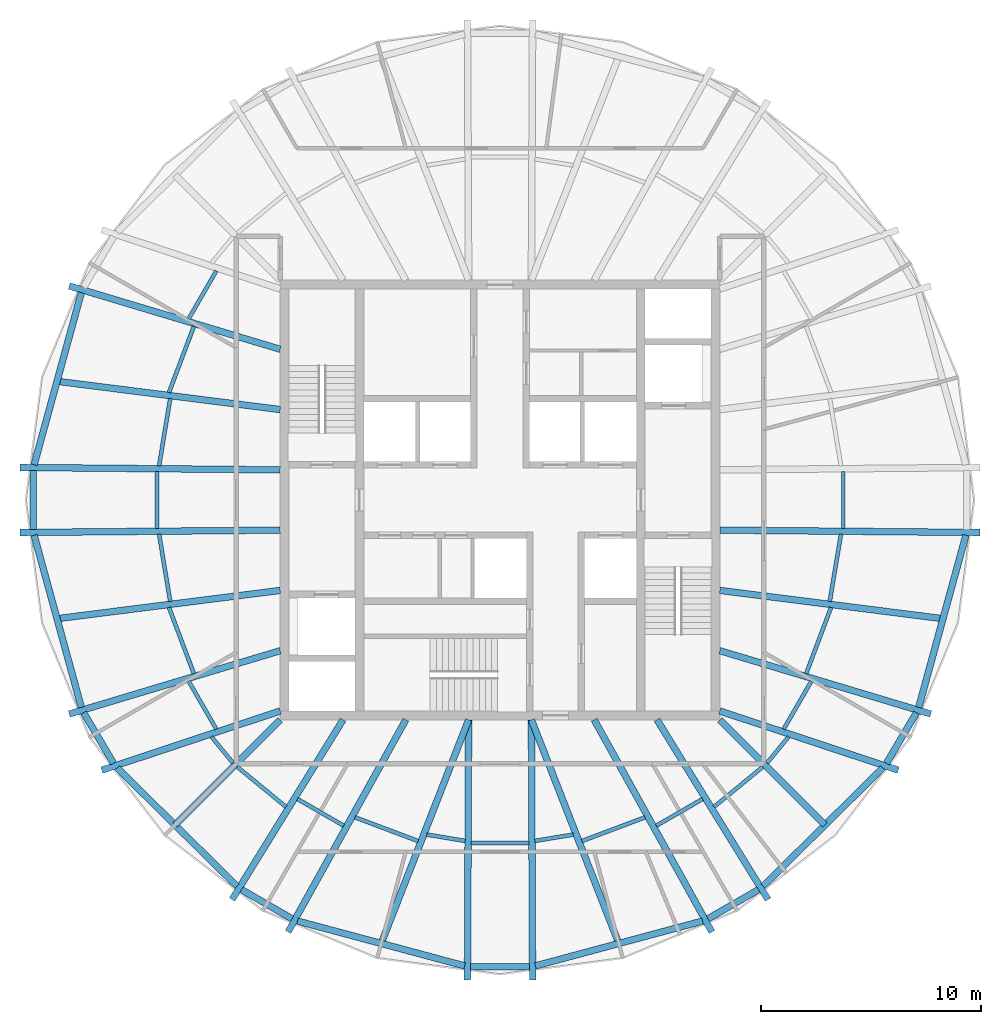
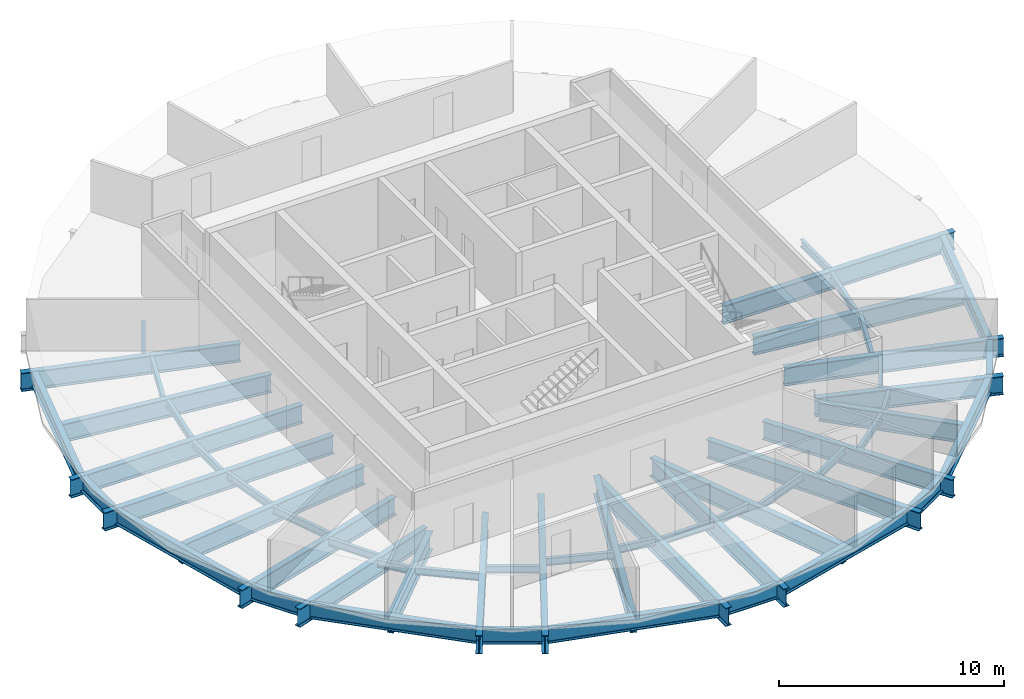
# One storey, part 1 of 6: 56 beams.
"""IFC4 building model written with IfcOpenShell, lengths in metres."""

from ifc_helpers import new_model, si_unit, direction, frame, origin, origin_2d, place, context, subcontext, project, spatial, i_section, extrude, material, material_profile, profile_set, type_object, element, save


model = new_model("IFC4")

# Units and contexts
model_context = context("Model", 3, precision=1e-05, world=origin(), true_north=direction((0.0, 1.0)))
body_context = subcontext(model_context, "Body", "Model", "MODEL_VIEW")
ifc_project = project(units=[si_unit("LENGTHUNIT", "METRE"), si_unit("AREAUNIT", "SQUARE_METRE"), si_unit("VOLUMEUNIT", "CUBIC_METRE"), si_unit("PLANEANGLEUNIT", "RADIAN"), si_unit("MASSUNIT", "GRAM", prefix="KILO")], contexts=[model_context])

# Site, building, storey
site_placement = place(None, origin())
site = spatial("IfcSite", under=ifc_project, at=site_placement, CompositionType="ELEMENT")
building_placement = place(site_placement, origin())
building = spatial("IfcBuilding", under=site, at=building_placement, Name="Golbaran Civic Tower", CompositionType="ELEMENT")
storey_placement = place(building_placement, frame((0.0, 0.0, 276.0)))
storey = spatial("IfcBuildingStorey", under=building, at=storey_placement, Name="L67", CompositionType="ELEMENT", Elevation=276.0)

# Beams
ifc_material = material(Name="Steel S355", Category="steel")
ifc_material_profile_1 = material_profile(ifc_material, i_section(OverallWidth=0.300048828125, OverallDepth=0.800048828125, WebThickness=0.017578125, FlangeThickness=0.032958984375, FilletRadius=0.030029296875, at=origin_2d()), Name="HEB 800")
ifc_profile_set_1 = profile_set([ifc_material_profile_1], Name="Steel S355")
beam_type_1 = type_object("IfcBeamType", Name="EDGE BEAM HEB 800", PredefinedType="BEAM", material=ifc_profile_set_1)
beam_1_placement = place(storey_placement, frame((-19.048828125, 9.4365234375, -0.60009765625), z_axis=(-0.264462655169, -0.964395927004, 0.0), x_axis=(0.964395927004, -0.264462655169, 0.0)))
element("IfcBeam", 1, at=beam_1_placement, inside=storey, type_object=beam_type_1, Name="Edge beam 153.80 L67", PredefinedType="BEAM", context=body_context, shape_type="SweptSolid", body=[
    extrude(i_section(OverallWidth=0.300048828125, OverallDepth=0.800048828125, WebThickness=0.017578125, FlangeThickness=0.032958984375, FilletRadius=0.030029296875, at=origin_2d()), origin(), (0.0, 0.0, 1.0), 8.121826171875),
])
beam_2_placement = place(storey_placement, frame((-21.232177734375, 1.343994140625, -0.60009765625), z_axis=(0.0, -1.0, 0.0), x_axis=(1.0, 0.0, 0.0)))
element("IfcBeam", 2, at=beam_2_placement, inside=storey, type_object=beam_type_1, Name="Edge beam 176.20 L67", PredefinedType="BEAM", context=body_context, shape_type="SweptSolid", body=[
    extrude(i_section(OverallWidth=0.300048828125, OverallDepth=0.800048828125, WebThickness=0.017578125, FlangeThickness=0.032958984375, FilletRadius=0.030029296875, at=origin_2d()), origin(), (0.0, 0.0, 1.0), 2.68798828125),
])
beam_3_placement = place(storey_placement, frame((-21.19677734375, -1.603759765625, -0.60009765625), z_axis=(0.264462655169, -0.964395927004, 0.0), x_axis=(0.964395927004, 0.264462655169, 0.0)))
element("IfcBeam", 3, at=beam_3_placement, inside=storey, type_object=beam_type_1, Name="Edge beam 183.80 L67", PredefinedType="BEAM", context=body_context, shape_type="SweptSolid", body=[
    extrude(i_section(OverallWidth=0.300048828125, OverallDepth=0.800048828125, WebThickness=0.017578125, FlangeThickness=0.032958984375, FilletRadius=0.030029296875, at=origin_2d()), origin(), (0.0, 0.0, 1.0), 8.121826171875),
])
beam_4_placement = place(storey_placement, frame((-18.946044921875, -9.67724609375, -0.60009765625), z_axis=(0.509912443574, -0.860226307368, 0.0), x_axis=(0.860226307368, 0.509912443574, 0.0)))
element("IfcBeam", 4, at=beam_4_placement, inside=storey, type_object=beam_type_1, Name="Edge beam 206.20 L67", PredefinedType="BEAM", context=body_context, shape_type="SweptSolid", body=[
    extrude(i_section(OverallWidth=0.300048828125, OverallDepth=0.800048828125, WebThickness=0.017578125, FlangeThickness=0.032958984375, FilletRadius=0.030029296875, at=origin_2d()), origin(), (0.0, 0.0, 1.0), 2.675537109375),
])
beam_5_placement = place(storey_placement, frame((-17.41015625, -12.19580078125, -0.60009765625), z_axis=(0.711498621038, -0.702687492604, 0.0), x_axis=(0.702687492604, 0.711498621038, 0.0)))
element("IfcBeam", 5, at=beam_5_placement, inside=storey, type_object=beam_type_1, Name="Edge beam 213.80 L67", PredefinedType="BEAM", context=body_context, shape_type="SweptSolid", body=[
    extrude(i_section(OverallWidth=0.300048828125, OverallDepth=0.800048828125, WebThickness=0.017578125, FlangeThickness=0.032958984375, FilletRadius=0.030029296875, at=origin_2d()), origin(), (0.0, 0.0, 1.0), 7.6474609375),
])
beam_6_placement = place(storey_placement, frame((-11.76123046875, -17.728271484375, -0.60009765625), z_axis=(0.866188645751, -0.499717149968, 0.0), x_axis=(0.499717149968, 0.866188645751, 0.0)))
element("IfcBeam", 6, at=beam_6_placement, inside=storey, type_object=beam_type_1, Name="Edge beam 236.20 L67", PredefinedType="BEAM", context=body_context, shape_type="SweptSolid", body=[
    extrude(i_section(OverallWidth=0.300048828125, OverallDepth=0.800048828125, WebThickness=0.017578125, FlangeThickness=0.032958984375, FilletRadius=0.030029296875, at=origin_2d()), origin(), (0.0, 0.0, 1.0), 2.65673828125),
])
beam_7_placement = place(storey_placement, frame((-9.218017578125, -19.155517578125, -0.60009765625), z_axis=(0.965839810381, -0.259139847732, 0.0), x_axis=(0.259139847732, 0.965839810381, 0.0)))
element("IfcBeam", 7, at=beam_7_placement, inside=storey, type_object=beam_type_1, Name="Edge beam 243.80 L67", PredefinedType="BEAM", context=body_context, shape_type="SweptSolid", body=[
    extrude(i_section(OverallWidth=0.300048828125, OverallDepth=0.800048828125, WebThickness=0.017578125, FlangeThickness=0.032958984375, FilletRadius=0.030029296875, at=origin_2d()), origin(), (0.0, 0.0, 1.0), 7.8779296875),
])
beam_8_placement = place(storey_placement, frame((-1.34912109375, -21.23193359375, -0.60009765625), z_axis=(1.0, 0.0, 0.0), x_axis=(0.0, 1.0, 0.0)))
element("IfcBeam", 8, at=beam_8_placement, inside=storey, type_object=beam_type_1, Name="Edge beam 266.20 L67", PredefinedType="BEAM", context=body_context, shape_type="SweptSolid", body=[
    extrude(i_section(OverallWidth=0.300048828125, OverallDepth=0.800048828125, WebThickness=0.017578125, FlangeThickness=0.032958984375, FilletRadius=0.030029296875, at=origin_2d()), origin(), (0.0, 0.0, 1.0), 2.6982421875),
])
beam_9_placement = place(storey_placement, frame((1.609130859375, -21.197021484375, -0.60009765625), z_axis=(0.965839810381, 0.259139847732, 0.0), x_axis=(-0.259139847732, 0.965839810381, 0.0)))
element("IfcBeam", 9, at=beam_9_placement, inside=storey, type_object=beam_type_1, Name="Edge beam 273.80 L67", PredefinedType="BEAM", context=body_context, shape_type="SweptSolid", body=[
    extrude(i_section(OverallWidth=0.300048828125, OverallDepth=0.800048828125, WebThickness=0.017578125, FlangeThickness=0.032958984375, FilletRadius=0.030029296875, at=origin_2d()), origin(), (0.0, 0.0, 1.0), 7.8779296875),
])
beam_10_placement = place(storey_placement, frame((9.4599609375, -19.055908203125, -0.60009765625), z_axis=(0.866188645751, 0.499717149968, 0.0), x_axis=(-0.499717149968, 0.866188645751, 0.0)))
element("IfcBeam", 10, at=beam_10_placement, inside=storey, type_object=beam_type_1, Name="Edge beam 296.20 L67", PredefinedType="BEAM", context=body_context, shape_type="SweptSolid", body=[
    extrude(i_section(OverallWidth=0.300048828125, OverallDepth=0.800048828125, WebThickness=0.017578125, FlangeThickness=0.032958984375, FilletRadius=0.030029296875, at=origin_2d()), origin(), (0.0, 0.0, 1.0), 2.65673828125),
])
beam_11_placement = place(storey_placement, frame((11.968994140625, -17.569580078125, -0.60009765625), z_axis=(0.711498621038, 0.702687492604, 0.0), x_axis=(-0.702687492604, 0.711498621038, 0.0)))
element("IfcBeam", 11, at=beam_11_placement, inside=storey, type_object=beam_type_1, Name="Edge beam 303.80 L67", PredefinedType="BEAM", context=body_context, shape_type="SweptSolid", body=[
    extrude(i_section(OverallWidth=0.300048828125, OverallDepth=0.800048828125, WebThickness=0.017578125, FlangeThickness=0.032958984375, FilletRadius=0.030029296875, at=origin_2d()), origin(), (0.0, 0.0, 1.0), 7.6474609375),
])
beam_12_placement = place(storey_placement, frame((17.581787109375, -11.978759765625, -0.60009765625), z_axis=(0.509912443574, 0.860226307368, 0.0), x_axis=(-0.860226307368, 0.509912443574, 0.0)))
element("IfcBeam", 12, at=beam_12_placement, inside=storey, type_object=beam_type_1, Name="Edge beam 326.20 L67", PredefinedType="BEAM", context=body_context, shape_type="SweptSolid", body=[
    extrude(i_section(OverallWidth=0.300048828125, OverallDepth=0.800048828125, WebThickness=0.017578125, FlangeThickness=0.032958984375, FilletRadius=0.030029296875, at=origin_2d()), origin(), (0.0, 0.0, 1.0), 2.675537109375),
])
beam_13_placement = place(storey_placement, frame((19.048828125, -9.4365234375, -0.60009765625), z_axis=(0.264462655169, 0.964395927004, 0.0), x_axis=(-0.964395927004, 0.264462655169, 0.0)))
element("IfcBeam", 13, at=beam_13_placement, inside=storey, type_object=beam_type_1, Name="Edge beam 333.80 L67", PredefinedType="BEAM", context=body_context, shape_type="SweptSolid", body=[
    extrude(i_section(OverallWidth=0.300048828125, OverallDepth=0.800048828125, WebThickness=0.017578125, FlangeThickness=0.032958984375, FilletRadius=0.030029296875, at=origin_2d()), origin(), (0.0, 0.0, 1.0), 8.121826171875),
])
ifc_material_profile_2 = material_profile(ifc_material, i_section(OverallWidth=0.179931640625, OverallDepth=0.39990234375, WebThickness=0.008544921875, FlangeThickness=0.013427734375, FilletRadius=0.02099609375, at=origin_2d()), Name="IPE 400")
ifc_profile_set_2 = profile_set([ifc_material_profile_2], Name="Steel S355")
beam_type_2 = type_object("IfcBeamType", Name="FLOOR INFILL BEAM IPE 400", PredefinedType="BEAM", material=ifc_profile_set_2)
beam_14_placement = place(storey_placement, frame((-12.90576171875, 10.42724609375, -0.39990234375), z_axis=(-0.500001778212, -0.866024377131, 0.0), x_axis=(0.866024377131, -0.500001778212, 0.0)))
element("IfcBeam", 14, at=beam_14_placement, inside=storey, type_object=beam_type_2, Name="Infill beam 150.00 L67", PredefinedType="BEAM", context=body_context, shape_type="SweptSolid", body=[
    extrude(i_section(OverallWidth=0.179931640625, OverallDepth=0.39990234375, WebThickness=0.008544921875, FlangeThickness=0.013427734375, FilletRadius=0.02099609375, at=origin_2d()), origin(), (0.0, 0.0, 1.0), 2.52197265625),
])
beam_15_placement = place(storey_placement, frame((-13.9296875, 7.900634765625, -0.39990234375), z_axis=(-0.351871123125, -0.93604845639, 0.0), x_axis=(0.93604845639, -0.351871123125, 0.0)))
element("IfcBeam", 15, at=beam_15_placement, inside=storey, type_object=beam_type_2, Name="Infill beam 159.40 L67", PredefinedType="BEAM", context=body_context, shape_type="SweptSolid", body=[
    extrude(i_section(OverallWidth=0.179931640625, OverallDepth=0.39990234375, WebThickness=0.008544921875, FlangeThickness=0.013427734375, FilletRadius=0.02099609375, at=origin_2d()), origin(), (0.0, 0.0, 1.0), 3.219970703125),
])
beam_16_placement = place(storey_placement, frame((-15.004638671875, 4.6171875, -0.39990234375), z_axis=(-0.163354081332, -0.98656750611, 0.0), x_axis=(0.98656750611, -0.163354081332, 0.0)))
element("IfcBeam", 16, at=beam_16_placement, inside=storey, type_object=beam_type_2, Name="Infill beam 170.60 L67", PredefinedType="BEAM", context=body_context, shape_type="SweptSolid", body=[
    extrude(i_section(OverallWidth=0.179931640625, OverallDepth=0.39990234375, WebThickness=0.008544921875, FlangeThickness=0.013427734375, FilletRadius=0.02099609375, at=origin_2d()), origin(), (0.0, 0.0, 1.0), 3.107177734375),
])
beam_17_placement = place(storey_placement, frame((-15.6162109375, 1.292724609375, -0.39990234375), z_axis=(0.0, -1.0, 0.0), x_axis=(1.0, 0.0, 0.0)))
element("IfcBeam", 17, at=beam_17_placement, inside=storey, type_object=beam_type_2, Name="Infill beam 180.00 L67", PredefinedType="BEAM", context=body_context, shape_type="SweptSolid", body=[
    extrude(i_section(OverallWidth=0.179931640625, OverallDepth=0.39990234375, WebThickness=0.008544921875, FlangeThickness=0.013427734375, FilletRadius=0.02099609375, at=origin_2d()), origin(), (0.0, 0.0, 1.0), 2.58544921875),
])
beam_18_placement = place(storey_placement, frame((-15.51220703125, -1.5517578125, -0.39990234375), z_axis=(0.163354081332, -0.98656750611, 0.0), x_axis=(0.98656750611, 0.163354081332, 0.0)))
element("IfcBeam", 18, at=beam_18_placement, inside=storey, type_object=beam_type_2, Name="Infill beam 189.40 L67", PredefinedType="BEAM", context=body_context, shape_type="SweptSolid", body=[
    extrude(i_section(OverallWidth=0.179931640625, OverallDepth=0.39990234375, WebThickness=0.008544921875, FlangeThickness=0.013427734375, FilletRadius=0.02099609375, at=origin_2d()), origin(), (0.0, 0.0, 1.0), 3.107177734375),
])
beam_19_placement = place(storey_placement, frame((-15.062744140625, -4.886474609375, -0.39990234375), z_axis=(0.351871123125, -0.93604845639, 0.0), x_axis=(0.93604845639, 0.351871123125, 0.0)))
element("IfcBeam", 19, at=beam_19_placement, inside=storey, type_object=beam_type_2, Name="Infill beam 200.60 L67", PredefinedType="BEAM", context=body_context, shape_type="SweptSolid", body=[
    extrude(i_section(OverallWidth=0.179931640625, OverallDepth=0.39990234375, WebThickness=0.008544921875, FlangeThickness=0.013427734375, FilletRadius=0.02099609375, at=origin_2d()), origin(), (0.0, 0.0, 1.0), 3.219970703125),
])
beam_20_placement = place(storey_placement, frame((-14.166748046875, -8.2431640625, -0.39990234375), z_axis=(0.500001778212, -0.866024377131, 0.0), x_axis=(0.866024377131, 0.500001778212, 0.0)))
element("IfcBeam", 20, at=beam_20_placement, inside=storey, type_object=beam_type_2, Name="Infill beam 210.00 L67", PredefinedType="BEAM", context=body_context, shape_type="SweptSolid", body=[
    extrude(i_section(OverallWidth=0.179931640625, OverallDepth=0.39990234375, WebThickness=0.008544921875, FlangeThickness=0.013427734375, FilletRadius=0.02099609375, at=origin_2d()), origin(), (0.0, 0.0, 1.0), 2.52197265625),
])
beam_21_placement = place(storey_placement, frame((-13.127197265625, -10.774658203125, -0.39990234375), z_axis=(0.634729286709, -0.772734580949, 0.0), x_axis=(0.772734580949, 0.634729286709, 0.0)))
element("IfcBeam", 21, at=beam_21_placement, inside=storey, type_object=beam_type_2, Name="Infill beam 219.40 L67", PredefinedType="BEAM", context=body_context, shape_type="SweptSolid", body=[
    extrude(i_section(OverallWidth=0.179931640625, OverallDepth=0.39990234375, WebThickness=0.008544921875, FlangeThickness=0.013427734375, FilletRadius=0.02099609375, at=origin_2d()), origin(), (0.0, 0.0, 1.0), 1.540771484375),
])
beam_22_placement = place(storey_placement, frame((-11.956298828125, -12.14013671875, -0.39990234375), z_axis=(0.772738185777, -0.634724898079, 0.0), x_axis=(0.634724898079, 0.772738185777, 0.0)))
element("IfcBeam", 22, at=beam_22_placement, inside=storey, type_object=beam_type_2, Name="Infill beam 230.60 L67", PredefinedType="BEAM", context=body_context, shape_type="SweptSolid", body=[
    extrude(i_section(OverallWidth=0.179931640625, OverallDepth=0.39990234375, WebThickness=0.008544921875, FlangeThickness=0.013427734375, FilletRadius=0.02099609375, at=origin_2d()), origin(), (0.0, 0.0, 1.0), 2.867431640625),
])
beam_23_placement = place(storey_placement, frame((-9.2158203125, -13.60498046875, -0.39990234375), z_axis=(0.866035116605, -0.499983176524, 0.0), x_axis=(0.499983176524, 0.866035116605, 0.0)))
element("IfcBeam", 23, at=beam_23_placement, inside=storey, type_object=beam_type_2, Name="Infill beam 240.00 L67", PredefinedType="BEAM", context=body_context, shape_type="SweptSolid", body=[
    extrude(i_section(OverallWidth=0.179931640625, OverallDepth=0.39990234375, WebThickness=0.008544921875, FlangeThickness=0.013427734375, FilletRadius=0.02099609375, at=origin_2d()), origin(), (0.0, 0.0, 1.0), 2.431640625),
])
beam_24_placement = place(storey_placement, frame((-6.599609375, -14.4375, -0.39990234375), z_axis=(0.936083922818, -0.351776760804, 0.0), x_axis=(0.351776760804, 0.936083922818, 0.0)))
element("IfcBeam", 24, at=beam_24_placement, inside=storey, type_object=beam_type_2, Name="Infill beam 249.40 L67", PredefinedType="BEAM", context=body_context, shape_type="SweptSolid", body=[
    extrude(i_section(OverallWidth=0.179931640625, OverallDepth=0.39990234375, WebThickness=0.008544921875, FlangeThickness=0.013427734375, FilletRadius=0.02099609375, at=origin_2d()), origin(), (0.0, 0.0, 1.0), 3.071044921875),
])
beam_25_placement = place(storey_placement, frame((-3.330810546875, -15.223876953125, -0.39990234375), z_axis=(0.986568466823, -0.163348279053, 0.0), x_axis=(0.163348279053, 0.986568466823, 0.0)))
element("IfcBeam", 25, at=beam_25_placement, inside=storey, type_object=beam_type_2, Name="Infill beam 260.60 L67", PredefinedType="BEAM", context=body_context, shape_type="SweptSolid", body=[
    extrude(i_section(OverallWidth=0.179931640625, OverallDepth=0.39990234375, WebThickness=0.008544921875, FlangeThickness=0.013427734375, FilletRadius=0.02099609375, at=origin_2d()), origin(), (0.0, 0.0, 1.0), 1.77099609375),
])
beam_26_placement = place(storey_placement, frame((-1.323974609375, -15.615966796875, -0.39990234375), z_axis=(1.0, 0.0, 0.0), x_axis=(0.0, 1.0, 0.0)))
element("IfcBeam", 26, at=beam_26_placement, inside=storey, type_object=beam_type_2, Name="Infill beam 270.00 L67", PredefinedType="BEAM", context=body_context, shape_type="SweptSolid", body=[
    extrude(i_section(OverallWidth=0.179931640625, OverallDepth=0.39990234375, WebThickness=0.008544921875, FlangeThickness=0.013427734375, FilletRadius=0.02099609375, at=origin_2d()), origin(), (0.0, 0.0, 1.0), 2.64794921875),
])
beam_27_placement = place(storey_placement, frame((1.58349609375, -15.51318359375, -0.39990234375), z_axis=(0.986568466823, 0.163348279053, 0.0), x_axis=(-0.163348279053, 0.986568466823, 0.0)))
element("IfcBeam", 27, at=beam_27_placement, inside=storey, type_object=beam_type_2, Name="Infill beam 279.40 L67", PredefinedType="BEAM", context=body_context, shape_type="SweptSolid", body=[
    extrude(i_section(OverallWidth=0.179931640625, OverallDepth=0.39990234375, WebThickness=0.008544921875, FlangeThickness=0.013427734375, FilletRadius=0.02099609375, at=origin_2d()), origin(), (0.0, 0.0, 1.0), 1.77099609375),
])
beam_28_placement = place(storey_placement, frame((3.724853515625, -15.517822265625, -0.39990234375), z_axis=(0.936083922818, 0.351776760804, 0.0), x_axis=(-0.351776760804, 0.936083922818, 0.0)))
element("IfcBeam", 28, at=beam_28_placement, inside=storey, type_object=beam_type_2, Name="Infill beam 290.60 L67", PredefinedType="BEAM", context=body_context, shape_type="SweptSolid", body=[
    extrude(i_section(OverallWidth=0.179931640625, OverallDepth=0.39990234375, WebThickness=0.008544921875, FlangeThickness=0.013427734375, FilletRadius=0.02099609375, at=origin_2d()), origin(), (0.0, 0.0, 1.0), 3.071044921875),
])
beam_29_placement = place(storey_placement, frame((7.10986328125, -14.82080078125, -0.39990234375), z_axis=(0.866035116605, 0.499983176524, 0.0), x_axis=(-0.499983176524, 0.866035116605, 0.0)))
element("IfcBeam", 29, at=beam_29_placement, inside=storey, type_object=beam_type_2, Name="Infill beam 300.00 L67", PredefinedType="BEAM", context=body_context, shape_type="SweptSolid", body=[
    extrude(i_section(OverallWidth=0.179931640625, OverallDepth=0.39990234375, WebThickness=0.008544921875, FlangeThickness=0.013427734375, FilletRadius=0.02099609375, at=origin_2d()), origin(), (0.0, 0.0, 1.0), 2.431640625),
])
beam_30_placement = place(storey_placement, frame((9.740478515625, -13.960205078125, -0.39990234375), z_axis=(0.772738185777, 0.634724898079, 0.0), x_axis=(-0.634724898079, 0.772738185777, 0.0)))
element("IfcBeam", 30, at=beam_30_placement, inside=storey, type_object=beam_type_2, Name="Infill beam 309.40 L67", PredefinedType="BEAM", context=body_context, shape_type="SweptSolid", body=[
    extrude(i_section(OverallWidth=0.179931640625, OverallDepth=0.39990234375, WebThickness=0.008544921875, FlangeThickness=0.013427734375, FilletRadius=0.02099609375, at=origin_2d()), origin(), (0.0, 0.0, 1.0), 2.867431640625),
])
beam_31_placement = place(storey_placement, frame((12.149169921875, -11.96533203125, -0.39990234375), z_axis=(0.634729286709, 0.772734580949, 0.0), x_axis=(-0.772734580949, 0.634729286709, 0.0)))
element("IfcBeam", 31, at=beam_31_placement, inside=storey, type_object=beam_type_2, Name="Infill beam 320.60 L67", PredefinedType="BEAM", context=body_context, shape_type="SweptSolid", body=[
    extrude(i_section(OverallWidth=0.179931640625, OverallDepth=0.39990234375, WebThickness=0.008544921875, FlangeThickness=0.013427734375, FilletRadius=0.02099609375, at=origin_2d()), origin(), (0.0, 0.0, 1.0), 1.540771484375),
])
beam_32_placement = place(storey_placement, frame((12.90576171875, -10.42724609375, -0.39990234375), z_axis=(0.500001778212, 0.866024377131, 0.0), x_axis=(-0.866024377131, 0.500001778212, 0.0)))
element("IfcBeam", 32, at=beam_32_placement, inside=storey, type_object=beam_type_2, Name="Infill beam 330.00 L67", PredefinedType="BEAM", context=body_context, shape_type="SweptSolid", body=[
    extrude(i_section(OverallWidth=0.179931640625, OverallDepth=0.39990234375, WebThickness=0.008544921875, FlangeThickness=0.013427734375, FilletRadius=0.02099609375, at=origin_2d()), origin(), (0.0, 0.0, 1.0), 2.52197265625),
])
beam_33_placement = place(storey_placement, frame((13.9296875, -7.900634765625, -0.39990234375), z_axis=(0.351871123125, 0.93604845639, 0.0), x_axis=(-0.93604845639, 0.351871123125, 0.0)))
element("IfcBeam", 33, at=beam_33_placement, inside=storey, type_object=beam_type_2, Name="Infill beam 339.40 L67", PredefinedType="BEAM", context=body_context, shape_type="SweptSolid", body=[
    extrude(i_section(OverallWidth=0.179931640625, OverallDepth=0.39990234375, WebThickness=0.008544921875, FlangeThickness=0.013427734375, FilletRadius=0.02099609375, at=origin_2d()), origin(), (0.0, 0.0, 1.0), 3.219970703125),
])
beam_34_placement = place(storey_placement, frame((15.004638671875, -4.6171875, -0.39990234375), z_axis=(0.163354081332, 0.98656750611, 0.0), x_axis=(-0.98656750611, 0.163354081332, 0.0)))
element("IfcBeam", 34, at=beam_34_placement, inside=storey, type_object=beam_type_2, Name="Infill beam 350.60 L67", PredefinedType="BEAM", context=body_context, shape_type="SweptSolid", body=[
    extrude(i_section(OverallWidth=0.179931640625, OverallDepth=0.39990234375, WebThickness=0.008544921875, FlangeThickness=0.013427734375, FilletRadius=0.02099609375, at=origin_2d()), origin(), (0.0, 0.0, 1.0), 3.107177734375),
])
beam_35_placement = place(storey_placement, frame((15.6162109375, -1.292724609375, -0.39990234375), z_axis=(0.0, 1.0, 0.0), x_axis=(-1.0, 0.0, 0.0)))
element("IfcBeam", 35, at=beam_35_placement, inside=storey, type_object=beam_type_2, Name="Infill beam 0.00 L67", PredefinedType="BEAM", context=body_context, shape_type="SweptSolid", body=[
    extrude(i_section(OverallWidth=0.179931640625, OverallDepth=0.39990234375, WebThickness=0.008544921875, FlangeThickness=0.013427734375, FilletRadius=0.02099609375, at=origin_2d()), origin(), (0.0, 0.0, 1.0), 2.58544921875),
])
ifc_material_profile_3 = material_profile(ifc_material, i_section(OverallWidth=0.300048828125, OverallDepth=1.0, WebThickness=0.01904296875, FlangeThickness=0.035888671875, FilletRadius=0.030029296875, at=origin_2d()), Name="HEB 1000")
ifc_profile_set_3 = profile_set([ifc_material_profile_3], Name="Steel S355")
beam_type_3 = type_object("IfcBeamType", Name="RADIAL FLOOR BEAM HEB 1000", PredefinedType="BEAM", material=ifc_profile_set_3)
beam_36_placement = place(storey_placement, frame((-10.0, 6.857177734375, -0.7099609375), z_axis=(-0.957814217612, 0.287388107863, 0.0), x_axis=(-0.287388107863, -0.957814217612, 0.0)))
element("IfcBeam", 36, at=beam_36_placement, inside=storey, type_object=beam_type_3, Name="Radial beam 153.80 L67", PredefinedType="BEAM", context=body_context, shape_type="SweptSolid", body=[
    extrude(i_section(OverallWidth=0.300048828125, OverallDepth=1.0, WebThickness=0.01904296875, FlangeThickness=0.035888671875, FilletRadius=0.030029296875, at=origin_2d()), origin(), (0.0, 0.0, 1.0), 10.0234375),
])
for number, where, z_axis, x_axis, name in (
    (37, (-10.0, 1.371337890625, -0.7099609375), (-0.999958085099, 0.009155765689, 0.0), (-0.009155765689, -0.999958085099, 0.0), "Radial beam 176.20 L67"),
    (38, (-10.0, -1.371337890625, -0.7099609375), (-0.999958085099, -0.009155765689, 0.0), (0.009155765689, -0.999958085099, 0.0), "Radial beam 183.80 L67"),
):
    element("IfcBeam", number, at=place(storey_placement, frame(where, z_axis=z_axis, x_axis=x_axis)), inside=storey, type_object=beam_type_3, Name=name, PredefinedType="BEAM", context=body_context, shape_type="SweptSolid", body=[
        extrude(i_section(OverallWidth=0.300048828125, OverallDepth=1.0, WebThickness=0.01904296875, FlangeThickness=0.035888671875, FilletRadius=0.030029296875, at=origin_2d()), origin(), (0.0, 0.0, 1.0), 11.83935546875),
    ])
beam_37_placement = place(storey_placement, frame((-10.0, -6.857177734375, -0.7099609375), z_axis=(-0.957814217612, -0.287388107863, 0.0), x_axis=(0.287388107863, -0.957814217612, 0.0)))
element("IfcBeam", 39, at=beam_37_placement, inside=storey, type_object=beam_type_3, Name="Radial beam 206.20 L67", PredefinedType="BEAM", context=body_context, shape_type="SweptSolid", body=[
    extrude(i_section(OverallWidth=0.300048828125, OverallDepth=1.0, WebThickness=0.01904296875, FlangeThickness=0.035888671875, FilletRadius=0.030029296875, at=origin_2d()), origin(), (0.0, 0.0, 1.0), 10.0234375),
])
beam_38_placement = place(storey_placement, frame((-10.0, -9.60009765625, -0.7099609375), z_axis=(-0.949116429878, -0.314925392013, 0.0), x_axis=(0.314925392013, -0.949116429878, 0.0)))
element("IfcBeam", 40, at=beam_38_placement, inside=storey, type_object=beam_type_3, Name="Radial beam 213.80 L67", PredefinedType="BEAM", context=body_context, shape_type="SweptSolid", body=[
    extrude(i_section(OverallWidth=0.300048828125, OverallDepth=1.0, WebThickness=0.01904296875, FlangeThickness=0.035888671875, FilletRadius=0.030029296875, at=origin_2d()), origin(), (0.0, 0.0, 1.0), 8.550048828125),
])
beam_39_placement = place(storey_placement, frame((-7.142822265625, -10.0, -0.7099609375), z_axis=(-0.525324151608, -0.850902189289, 0.0), x_axis=(0.850902189289, -0.525324151608, 0.0)))
element("IfcBeam", 41, at=beam_39_placement, inside=storey, type_object=beam_type_3, Name="Radial beam 236.20 L67", PredefinedType="BEAM", context=body_context, shape_type="SweptSolid", body=[
    extrude(i_section(OverallWidth=0.300048828125, OverallDepth=1.0, WebThickness=0.01904296875, FlangeThickness=0.035888671875, FilletRadius=0.030029296875, at=origin_2d()), origin(), (0.0, 0.0, 1.0), 9.61181640625),
])
beam_40_placement = place(storey_placement, frame((-4.28564453125, -10.0, -0.7099609375), z_axis=(-0.485242863402, -0.874379416225, 0.0), x_axis=(0.874379416225, -0.485242863402, 0.0)))
element("IfcBeam", 42, at=beam_40_placement, inside=storey, type_object=beam_type_3, Name="Radial beam 243.80 L67", PredefinedType="BEAM", context=body_context, shape_type="SweptSolid", body=[
    extrude(i_section(OverallWidth=0.300048828125, OverallDepth=1.0, WebThickness=0.01904296875, FlangeThickness=0.035888671875, FilletRadius=0.030029296875, at=origin_2d()), origin(), (0.0, 0.0, 1.0), 11.03759765625),
])
for number, where, z_axis, x_axis, name in (
    (43, (-1.428466796875, -10.0, -0.7099609375), (-0.004516162803, -0.999989802085, 0.0), (0.999989802085, -0.004516162803, 0.0), "Radial beam 266.20 L67"),
    (44, (1.428466796875, -10.0, -0.7099609375), (0.004516162803, -0.999989802085, 0.0), (0.999989802085, 0.004516162803, 0.0), "Radial beam 273.80 L67"),
):
    element("IfcBeam", number, at=place(storey_placement, frame(where, z_axis=z_axis, x_axis=x_axis)), inside=storey, type_object=beam_type_3, Name=name, PredefinedType="BEAM", context=body_context, shape_type="SweptSolid", body=[
        extrude(i_section(OverallWidth=0.300048828125, OverallDepth=1.0, WebThickness=0.01904296875, FlangeThickness=0.035888671875, FilletRadius=0.030029296875, at=origin_2d()), origin(), (0.0, 0.0, 1.0), 11.8388671875),
    ])
beam_41_placement = place(storey_placement, frame((4.28564453125, -10.0, -0.7099609375), z_axis=(0.485242863402, -0.874379416225, 0.0), x_axis=(0.874379416225, 0.485242863402, 0.0)))
element("IfcBeam", 45, at=beam_41_placement, inside=storey, type_object=beam_type_3, Name="Radial beam 296.20 L67", PredefinedType="BEAM", context=body_context, shape_type="SweptSolid", body=[
    extrude(i_section(OverallWidth=0.300048828125, OverallDepth=1.0, WebThickness=0.01904296875, FlangeThickness=0.035888671875, FilletRadius=0.030029296875, at=origin_2d()), origin(), (0.0, 0.0, 1.0), 11.03759765625),
])
beam_42_placement = place(storey_placement, frame((7.142822265625, -10.0, -0.7099609375), z_axis=(0.525324151608, -0.850902189289, 0.0), x_axis=(0.850902189289, 0.525324151608, 0.0)))
element("IfcBeam", 46, at=beam_42_placement, inside=storey, type_object=beam_type_3, Name="Radial beam 303.80 L67", PredefinedType="BEAM", context=body_context, shape_type="SweptSolid", body=[
    extrude(i_section(OverallWidth=0.300048828125, OverallDepth=1.0, WebThickness=0.01904296875, FlangeThickness=0.035888671875, FilletRadius=0.030029296875, at=origin_2d()), origin(), (0.0, 0.0, 1.0), 9.61181640625),
])
beam_43_placement = place(storey_placement, frame((10.0, -9.60009765625, -0.7099609375), z_axis=(0.949116429878, -0.314925392013, 0.0), x_axis=(0.314925392013, 0.949116429878, 0.0)))
element("IfcBeam", 47, at=beam_43_placement, inside=storey, type_object=beam_type_3, Name="Radial beam 326.20 L67", PredefinedType="BEAM", context=body_context, shape_type="SweptSolid", body=[
    extrude(i_section(OverallWidth=0.300048828125, OverallDepth=1.0, WebThickness=0.01904296875, FlangeThickness=0.035888671875, FilletRadius=0.030029296875, at=origin_2d()), origin(), (0.0, 0.0, 1.0), 8.550048828125),
])
beam_44_placement = place(storey_placement, frame((10.0, -6.857177734375, -0.7099609375), z_axis=(0.957814217612, -0.287388107863, 0.0), x_axis=(0.287388107863, 0.957814217612, 0.0)))
element("IfcBeam", 48, at=beam_44_placement, inside=storey, type_object=beam_type_3, Name="Radial beam 333.80 L67", PredefinedType="BEAM", context=body_context, shape_type="SweptSolid", body=[
    extrude(i_section(OverallWidth=0.300048828125, OverallDepth=1.0, WebThickness=0.01904296875, FlangeThickness=0.035888671875, FilletRadius=0.030029296875, at=origin_2d()), origin(), (0.0, 0.0, 1.0), 10.0234375),
])
beam_45_placement = place(storey_placement, frame((10.0, -1.371337890625, -0.7099609375), z_axis=(0.999958085099, -0.009155765689, 0.0), x_axis=(0.009155765689, 0.999958085099, 0.0)))
element("IfcBeam", 49, at=beam_45_placement, inside=storey, type_object=beam_type_3, Name="Radial beam 356.20 L67", PredefinedType="BEAM", context=body_context, shape_type="SweptSolid", body=[
    extrude(i_section(OverallWidth=0.300048828125, OverallDepth=1.0, WebThickness=0.01904296875, FlangeThickness=0.035888671875, FilletRadius=0.030029296875, at=origin_2d()), origin(), (0.0, 0.0, 1.0), 11.83935546875),
])
ifc_material_profile_4 = material_profile(ifc_material, i_section(OverallWidth=0.300048828125, OverallDepth=1.0, WebThickness=0.01904296875, FlangeThickness=0.035888671875, FilletRadius=0.030029296875, at=origin_2d()), Name="HEB 1000")
ifc_profile_set_4 = profile_set([ifc_material_profile_4], Name="Steel S355")
beam_type_4 = type_object("IfcBeamType", Name="SECONDARY FLOOR BEAM HEB 1000", PredefinedType="BEAM", material=ifc_profile_set_4)
for number, where, z_axis, x_axis, name in (
    (50, (-10.0, 4.1142578125, -0.7099609375), (-0.992072900265, 0.12566368035, 0.0), (-0.12566368035, -0.992072900265, 0.0), "Secondary beam 165.00 L67"),
    (51, (-10.0, -4.1142578125, -0.7099609375), (-0.992072900265, -0.12566368035, 0.0), (0.12566368035, -0.992072900265, 0.0), "Secondary beam 195.00 L67"),
):
    element("IfcBeam", number, at=place(storey_placement, frame(where, z_axis=z_axis, x_axis=x_axis)), inside=storey, type_object=beam_type_4, Name=name, PredefinedType="BEAM", context=body_context, shape_type="SweptSolid", body=[
        extrude(i_section(OverallWidth=0.300048828125, OverallDepth=1.0, WebThickness=0.01904296875, FlangeThickness=0.035888671875, FilletRadius=0.030029296875, at=origin_2d()), origin(), (0.0, 0.0, 1.0), 10.236572265625),
    ])
beam_46_placement = place(storey_placement, frame((-10.0, -10.0, -0.7099609375), z_axis=(-0.707106781187, -0.707106781187, 0.0), x_axis=(0.707106781187, -0.707106781187, 0.0)))
element("IfcBeam", 52, at=beam_46_placement, inside=storey, type_object=beam_type_4, Name="Secondary beam 225.00 L67", PredefinedType="BEAM", context=body_context, shape_type="SweptSolid", body=[
    extrude(i_section(OverallWidth=0.300048828125, OverallDepth=1.0, WebThickness=0.01904296875, FlangeThickness=0.035888671875, FilletRadius=0.030029296875, at=origin_2d()), origin(), (0.0, 0.0, 1.0), 6.769287109375),
])
for number, where, z_axis, x_axis, name in (
    (53, (-1.428466796875, -10.0, -0.7099609375), (-0.364041321471, -0.93138279792, 0.0), (0.93138279792, -0.364041321471, 0.0), "Secondary beam 255.00 L67"),
    (54, (1.428466796875, -10.0, -0.7099609375), (0.364041321471, -0.93138279792, 0.0), (0.93138279792, 0.364041321471, 0.0), "Secondary beam 285.00 L67"),
):
    element("IfcBeam", number, at=place(storey_placement, frame(where, z_axis=z_axis, x_axis=x_axis)), inside=storey, type_object=beam_type_4, Name=name, PredefinedType="BEAM", context=body_context, shape_type="SweptSolid", body=[
        extrude(i_section(OverallWidth=0.300048828125, OverallDepth=1.0, WebThickness=0.01904296875, FlangeThickness=0.035888671875, FilletRadius=0.030029296875, at=origin_2d()), origin(), (0.0, 0.0, 1.0), 10.927978515625),
    ])
beam_47_placement = place(storey_placement, frame((10.0, -10.0, -0.7099609375), z_axis=(0.707106781187, -0.707106781187, 0.0), x_axis=(0.707106781187, 0.707106781187, 0.0)))
element("IfcBeam", 55, at=beam_47_placement, inside=storey, type_object=beam_type_4, Name="Secondary beam 315.00 L67", PredefinedType="BEAM", context=body_context, shape_type="SweptSolid", body=[
    extrude(i_section(OverallWidth=0.300048828125, OverallDepth=1.0, WebThickness=0.01904296875, FlangeThickness=0.035888671875, FilletRadius=0.030029296875, at=origin_2d()), origin(), (0.0, 0.0, 1.0), 6.769287109375),
])
beam_48_placement = place(storey_placement, frame((10.0, -4.1142578125, -0.7099609375), z_axis=(0.992072900265, -0.12566368035, 0.0), x_axis=(0.12566368035, 0.992072900265, 0.0)))
element("IfcBeam", 56, at=beam_48_placement, inside=storey, type_object=beam_type_4, Name="Secondary beam 345.00 L67", PredefinedType="BEAM", context=body_context, shape_type="SweptSolid", body=[
    extrude(i_section(OverallWidth=0.300048828125, OverallDepth=1.0, WebThickness=0.01904296875, FlangeThickness=0.035888671875, FilletRadius=0.030029296875, at=origin_2d()), origin(), (0.0, 0.0, 1.0), 10.236572265625),
])

save(model, "model.ifc")
